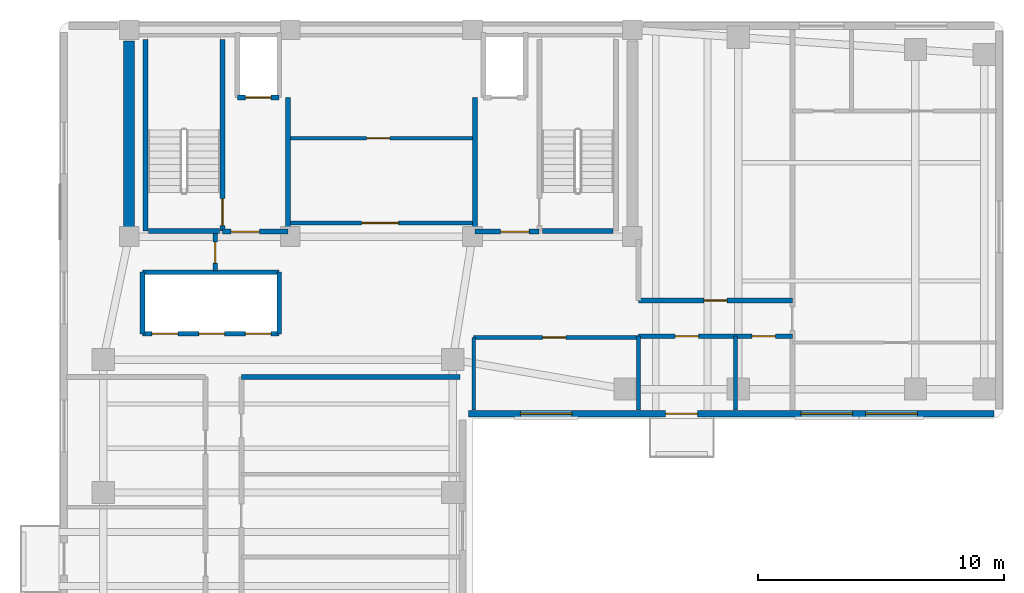
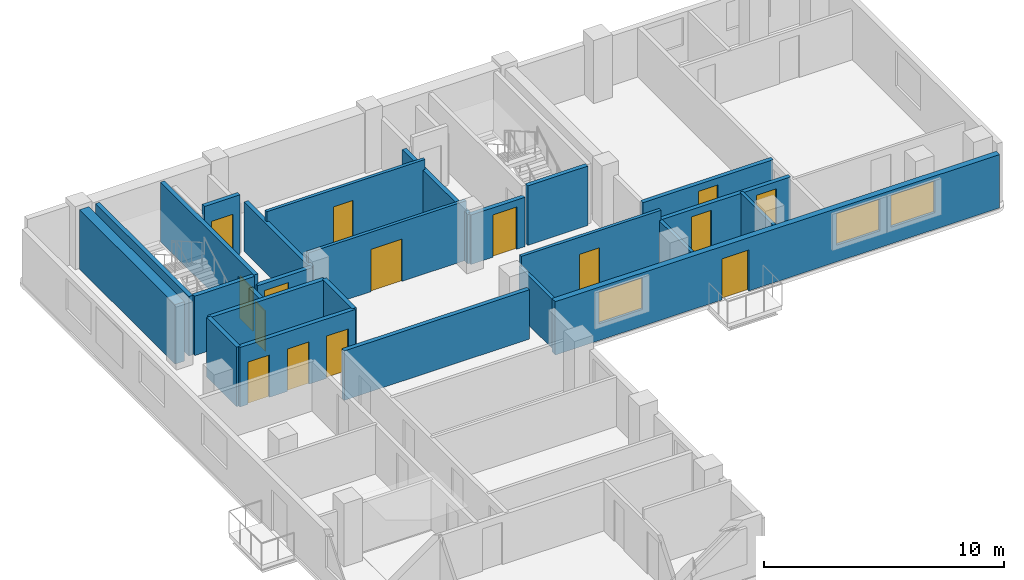
# One storey, part 3 of 6: 25 walls, 15 doors, 3 windows, 18 openings.
"""IFC4 building model written with IfcOpenShell, lengths in metres."""

from ifc_helpers import new_model, si_unit, direction, frame, frame_2d, origin, place, context, subcontext, project, spatial, rectangle, extrude, material, layer, layer_set, type_object, element, fill, save


model = new_model("IFC4")

# Units and contexts
model_context = context("Model", 3, precision=1e-05, world=origin(), true_north=direction((0.0, 1.0)))
body_context = subcontext(model_context, "Body", "Model", "MODEL_VIEW")
ifc_project = project(units=[si_unit("LENGTHUNIT", "METRE"), si_unit("AREAUNIT", "SQUARE_METRE"), si_unit("VOLUMEUNIT", "CUBIC_METRE"), si_unit("PLANEANGLEUNIT", "RADIAN"), si_unit("MASSUNIT", "GRAM", prefix="KILO")], contexts=[model_context])

# Site, building, storey
site_placement = place(None, origin())
site = spatial("IfcSite", under=ifc_project, at=site_placement, CompositionType="ELEMENT")
building_placement = place(site_placement, origin())
building = spatial("IfcBuilding", under=site, at=building_placement, Name="Kuzgunbayir Cultural Tower", CompositionType="ELEMENT")
storey_placement = place(building_placement, frame((0.0, 0.0, 195.199951171875)))
storey = spatial("IfcBuildingStorey", under=building, at=storey_placement, Name="L57", CompositionType="ELEMENT", Elevation=195.199951171875)

# Wall
ifc_material_1 = material(Name="Concrete C50/60", Category="concrete")
ifc_layer_1 = layer(ifc_material_1, 0.449951171875)
ifc_layer_set_1 = layer_set([ifc_layer_1], Name="Concrete C50/60")
wall_type_1 = type_object("IfcWallType", Name="WAL-CORE-450", PredefinedType="SHEAR", material=ifc_layer_set_1)
wall_1_placement = place(storey_placement, frame((6.449951171875, 33.800048828125, 0.0), z_axis=(0.0, 0.0, 1.0), x_axis=(0.0, 1.0, 0.0)))
element("IfcWall", 1, at=wall_1_placement, inside=storey, type_object=wall_type_1, Name="L57 T1 Core West Shear Wall", PredefinedType="SHEAR", context=body_context, shape_type="SweptSolid", body=[
    extrude(rectangle(XDim=7.949951171875, YDim=0.449951171875, at=frame_2d((3.97509765625, 0.0))), origin(), (0.0, 0.0, 1.0), 3.02001953125),
])

# Wall, openings, door, windows
ifc_material_2 = material(Name="Anatolian Cream Limestone", Category="masonry")
ifc_layer_2 = layer(ifc_material_2, 0.280029296875)
ifc_layer_set_2 = layer_set([ifc_layer_2], Name="Anatolian Cream Limestone")
wall_type_2 = type_object("IfcWallType", Name="WAL-EXT-STONE-280", PredefinedType="STANDARD", material=ifc_layer_set_2)
wall_2_placement = place(storey_placement, frame((20.25, 26.60009765625, 0.0), z_axis=(0.0, 0.0, 1.0), x_axis=(1.0, 0.0, 0.0)))
wall_2 = element("IfcWall", 2, at=wall_2_placement, inside=storey, type_object=wall_type_2, Name="L57 Wing B South Limestone Wall", PredefinedType="STANDARD", context=body_context, shape_type="SweptSolid", body=[
    extrude(rectangle(XDim=21.35009765625, YDim=0.280029296875, at=frame_2d((10.675048828125, 0.0))), origin(), (0.0, 0.0, 1.0), 2.7099609375),
])
opening_1_placement = place(wall_2_placement, frame((8.0, 0.0, 0.0)))
opening_1 = element("IfcOpeningElement", 3, at=opening_1_placement, cuts=wall_2, Name="Opening BD-13", PredefinedType="OPENING", context=body_context, shape_type="SweptSolid", body=[
    extrude(rectangle(XDim=1.300048828125, YDim=2.080078125, at=frame_2d((0.64990234375, 1.0400390625))), frame((0.0, 0.14990234375, 0.0), z_axis=(0.0, -1.0, 0.0), x_axis=(1.0, 0.0, 0.0)), (0.0, 0.0, 1.0), 0.300048828125),
])
opening_2_placement = place(wall_2_placement, frame((16.1298828125, 0.0, 0.85009765625)))
opening_2 = element("IfcOpeningElement", 4, at=opening_2_placement, cuts=wall_2, Name="Opening WR-21", PredefinedType="OPENING", context=body_context, shape_type="SweptSolid", body=[
    extrude(rectangle(XDim=2.10009765625, YDim=1.610107421875, at=frame_2d((1.050048828125, 0.80517578125))), frame((0.0, 0.14990234375, 0.0), z_axis=(0.0, -1.0, 0.0), x_axis=(1.0, 0.0, 0.0)), (0.0, 0.0, 1.0), 0.300048828125),
])
opening_3_placement = place(wall_2_placement, frame((2.10009765625, 0.0, 0.85009765625)))
opening_3 = element("IfcOpeningElement", 5, at=opening_3_placement, cuts=wall_2, Name="Opening WR-21", PredefinedType="OPENING", context=body_context, shape_type="SweptSolid", body=[
    extrude(rectangle(XDim=2.10009765625, YDim=1.610107421875, at=frame_2d((1.050048828125, 0.80517578125))), frame((0.0, 0.14990234375, 0.0), z_axis=(0.0, -1.0, 0.0), x_axis=(1.0, 0.0, 0.0)), (0.0, 0.0, 1.0), 0.300048828125),
])
opening_4_placement = place(wall_2_placement, frame((13.5, 0.0, 0.85009765625)))
opening_4 = element("IfcOpeningElement", 6, at=opening_4_placement, cuts=wall_2, Name="Opening WR-21", PredefinedType="OPENING", context=body_context, shape_type="SweptSolid", body=[
    extrude(rectangle(XDim=2.10009765625, YDim=1.610107421875, at=frame_2d((1.050048828125, 0.80517578125))), frame((0.0, 0.14990234375, 0.0), z_axis=(0.0, -1.0, 0.0), x_axis=(1.0, 0.0, 0.0)), (0.0, 0.0, 1.0), 0.300048828125),
])
ifc_material_3 = material(Name="Thermally Broken Glazed Aluminium", Category="aluminium")
door_type_1 = type_object("IfcDoorType", Name="DR-BALCONY-135", OperationType="SLIDING_TO_LEFT", PredefinedType="DOOR", material=ifc_material_3)
door_1_placement = place(opening_1_placement, origin())
door_1 = element("IfcDoor", 7, at=door_1_placement, inside=storey, type_object=door_type_1, Name="L57 South Balcony Sliding Door BAL-L57-WB1", OperationType="SLIDING_TO_LEFT", OverallHeight=2.080078125, OverallWidth=1.300048828125, PredefinedType="DOOR", context=body_context, shape_type="SweptSolid", body=[
    extrude(rectangle(XDim=1.300048828125, YDim=2.080078125, at=frame_2d((0.64990234375, 1.0400390625))), frame((0.0, 0.02490234375, 0.0), z_axis=(0.0, -1.0, 0.0), x_axis=(1.0, 0.0, 0.0)), (0.0, 0.0, 1.0), 0.050048828125),
])
fill(opening_1, door_1)
ifc_material_4 = material(Name="Solar-Control Triple Glazing", Category="glass")
window_type = type_object("IfcWindowType", Name="WIN-RESID-21", PartitioningType="SINGLE_PANEL", PredefinedType="WINDOW", material=ifc_material_4)
window_1_placement = place(opening_2_placement, origin())
window_1 = element("IfcWindow", 8, at=window_1_placement, inside=storey, type_object=window_type, Name="L57 WBS Facade Window 7", OverallHeight=1.610107421875, OverallWidth=2.10009765625, PartitioningType="SINGLE_PANEL", PredefinedType="WINDOW", context=body_context, shape_type="SweptSolid", body=[
    extrude(rectangle(XDim=2.10009765625, YDim=1.610107421875, at=frame_2d((1.050048828125, 0.80517578125))), frame((0.0, 0.030029296875, 0.0), z_axis=(0.0, -1.0, 0.0), x_axis=(1.0, 0.0, 0.0)), (0.0, 0.0, 1.0), 0.06005859375),
])
fill(opening_2, window_1)
window_2_placement = place(opening_3_placement, origin())
window_2 = element("IfcWindow", 9, at=window_2_placement, inside=storey, type_object=window_type, Name="L57 WBS Facade Window 15", OverallHeight=1.610107421875, OverallWidth=2.10009765625, PartitioningType="SINGLE_PANEL", PredefinedType="WINDOW", context=body_context, shape_type="SweptSolid", body=[
    extrude(rectangle(XDim=2.10009765625, YDim=1.610107421875, at=frame_2d((1.050048828125, 0.80517578125))), frame((0.0, 0.030029296875, 0.0), z_axis=(0.0, -1.0, 0.0), x_axis=(1.0, 0.0, 0.0)), (0.0, 0.0, 1.0), 0.06005859375),
])
fill(opening_3, window_2)
window_3_placement = place(opening_4_placement, origin())
window_3 = element("IfcWindow", 10, at=window_3_placement, inside=storey, type_object=window_type, Name="L57 WBS Facade Window 16", OverallHeight=1.610107421875, OverallWidth=2.10009765625, PartitioningType="SINGLE_PANEL", PredefinedType="WINDOW", context=body_context, shape_type="SweptSolid", body=[
    extrude(rectangle(XDim=2.10009765625, YDim=1.610107421875, at=frame_2d((1.050048828125, 0.80517578125))), frame((0.0, 0.030029296875, 0.0), z_axis=(0.0, -1.0, 0.0), x_axis=(1.0, 0.0, 0.0)), (0.0, 0.0, 1.0), 0.06005859375),
])
fill(opening_4, window_3)

# Wall, opening, door
ifc_material_5 = material(Name="Acoustic Double-Stud Drywall", Category="gypsum")
ifc_layer_3 = layer(ifc_material_5, 0.14990234375)
ifc_layer_set_3 = layer_set([ifc_layer_3], Name="Acoustic Double-Stud Drywall")
wall_type_3 = type_object("IfcWallType", Name="WAL-PART-ACOUSTIC-150", PredefinedType="PARTITIONING", material=ifc_layer_set_3)
wall_3_placement = place(storey_placement, frame((12.89990234375, 34.35009765625, 0.0), z_axis=(0.0, 0.0, 1.0), x_axis=(1.0, 0.0, 0.0)))
wall_3 = element("IfcWall", 11, at=wall_3_placement, inside=storey, type_object=wall_type_3, Name="L57 Sky Core South Wall", PredefinedType="PARTITIONING", context=body_context, shape_type="SweptSolid", body=[
    extrude(rectangle(XDim=7.60009765625, YDim=0.14990234375, at=frame_2d((3.800048828125, 0.0))), origin(), (0.0, 0.0, 1.0), 3.02001953125),
])
opening_5_placement = place(wall_3_placement, frame((3.0, 0.0, 0.0)))
opening_5 = element("IfcOpeningElement", 12, at=opening_5_placement, cuts=wall_3, Name="Opening DC-150", PredefinedType="OPENING", context=body_context, shape_type="SweptSolid", body=[
    extrude(rectangle(XDim=1.5, YDim=2.14990234375, at=frame_2d((0.75, 1.074951171875))), frame((0.0, 0.0849609375, 0.0), z_axis=(0.0, -1.0, 0.0), x_axis=(1.0, 0.0, 0.0)), (0.0, 0.0, 1.0), 0.169921875),
])
ifc_material_6 = material(Name="Fire-Rated Veneered Oak Double Leaf", Category="wood")
door_type_2 = type_object("IfcDoorType", Name="DR-CORE-150", OperationType="DOUBLE_DOOR_SINGLE_SWING", PredefinedType="DOOR", material=ifc_material_6)
door_2_placement = place(opening_5_placement, origin())
door_2 = element("IfcDoor", 13, at=door_2_placement, inside=storey, type_object=door_type_2, Name="L57 Sky Conservatory Double Door", OperationType="DOUBLE_DOOR_SINGLE_SWING", OverallHeight=2.14990234375, OverallWidth=1.5, PredefinedType="DOOR", context=body_context, shape_type="SweptSolid", body=[
    extrude(rectangle(XDim=1.5, YDim=2.14990234375, at=frame_2d((0.75, 1.074951171875))), frame((0.0, 0.02490234375, 0.0), z_axis=(0.0, -1.0, 0.0), x_axis=(1.0, 0.0, 0.0)), (0.0, 0.0, 1.0), 0.050048828125),
])
fill(opening_5, door_2)

wall_4_placement = place(storey_placement, frame((12.89990234375, 37.800048828125, 0.0), z_axis=(0.0, 0.0, 1.0), x_axis=(1.0, 0.0, 0.0)))
wall_4 = element("IfcWall", 14, at=wall_4_placement, inside=storey, type_object=wall_type_3, Name="L57 Sky Core Mid Wall", PredefinedType="PARTITIONING", context=body_context, shape_type="SweptSolid", body=[
    extrude(rectangle(XDim=7.60009765625, YDim=0.14990234375, at=frame_2d((3.800048828125, 0.0))), origin(), (0.0, 0.0, 1.0), 3.02001953125),
])
opening_6_placement = place(wall_4_placement, frame((3.199951171875, 0.0, 0.0)))
opening_6 = element("IfcOpeningElement", 15, at=opening_6_placement, cuts=wall_4, Name="Opening DC-95", PredefinedType="OPENING", context=body_context, shape_type="SweptSolid", body=[
    extrude(rectangle(XDim=0.949951171875, YDim=2.14990234375, at=frame_2d((0.47509765625, 1.074951171875))), frame((0.0, 0.0849609375, 0.0), z_axis=(0.0, -1.0, 0.0), x_axis=(1.0, 0.0, 0.0)), (0.0, 0.0, 1.0), 0.169921875),
])
ifc_material_7 = material(Name="Fire-Rated Veneered Oak Leaf", Category="wood")
door_type_3 = type_object("IfcDoorType", Name="DR-CORE-95", OperationType="NOTDEFINED", PredefinedType="DOOR", material=ifc_material_7)
door_3_placement = place(opening_6_placement, origin())
door_3 = element("IfcDoor", 16, at=door_3_placement, inside=storey, type_object=door_type_3, Name="L57 Core Archive Door", OperationType="SINGLE_SWING_LEFT", OverallHeight=2.14990234375, OverallWidth=0.949951171875, PredefinedType="DOOR", context=body_context, shape_type="SweptSolid", body=[
    extrude(rectangle(XDim=0.949951171875, YDim=2.14990234375, at=frame_2d((0.47509765625, 1.074951171875))), frame((0.0, 0.02490234375, 0.0), z_axis=(0.0, -1.0, 0.0), x_axis=(1.0, 0.0, 0.0)), (0.0, 0.0, 1.0), 0.050048828125),
])
fill(opening_6, door_3)

wall_5_placement = place(storey_placement, frame((20.449951171875, 29.699951171875, 0.0), z_axis=(0.0, 0.0, 1.0), x_axis=(1.0, 0.0, 0.0)))
wall_5 = element("IfcWall", 17, at=wall_5_placement, inside=storey, type_object=wall_type_3, Name="L57 Waist Alcove North Wall", PredefinedType="PARTITIONING", context=body_context, shape_type="SweptSolid", body=[
    extrude(rectangle(XDim=6.699951171875, YDim=0.14990234375, at=frame_2d((3.35009765625, 0.0))), origin(), (0.0, 0.0, 1.0), 3.02001953125),
])
opening_7_placement = place(wall_5_placement, frame((2.800048828125, 0.0, 0.0)))
opening_7 = element("IfcOpeningElement", 18, at=opening_7_placement, cuts=wall_5, Name="Opening DI-90", PredefinedType="OPENING", context=body_context, shape_type="SweptSolid", body=[
    extrude(rectangle(XDim=0.949951171875, YDim=2.14990234375, at=frame_2d((0.47509765625, 1.074951171875))), frame((0.0, 0.0849609375, 0.0), z_axis=(0.0, -1.0, 0.0), x_axis=(1.0, 0.0, 0.0)), (0.0, 0.0, 1.0), 0.169921875),
])
ifc_material_8 = material(Name="Veneered Oak Single Leaf", Category="wood")
door_type_4 = type_object("IfcDoorType", Name="DR-INT-90", OperationType="NOTDEFINED", PredefinedType="DOOR", material=ifc_material_8)
door_4_placement = place(opening_7_placement, origin())
door_4 = element("IfcDoor", 19, at=door_4_placement, inside=storey, type_object=door_type_4, Name="L57 Waist Alcove Door", OperationType="SINGLE_SWING_LEFT", OverallHeight=2.14990234375, OverallWidth=0.949951171875, PredefinedType="DOOR", context=body_context, shape_type="SweptSolid", body=[
    extrude(rectangle(XDim=0.949951171875, YDim=2.14990234375, at=frame_2d((0.47509765625, 1.074951171875))), frame((0.0, 0.02490234375, 0.0), z_axis=(0.0, -1.0, 0.0), x_axis=(1.0, 0.0, 0.0)), (0.0, 0.0, 1.0), 0.050048828125),
])
fill(opening_7, door_4)

# Walls
wall_6_placement = place(storey_placement, frame((20.449951171875, 26.75, 0.0), z_axis=(0.0, 0.0, 1.0), x_axis=(0.0, 1.0, 0.0)))
element("IfcWall", 20, at=wall_6_placement, inside=storey, type_object=wall_type_3, Name="L57 Waist Alcove West Wall", PredefinedType="PARTITIONING", context=body_context, shape_type="SweptSolid", body=[
    extrude(rectangle(XDim=2.949951171875, YDim=0.14990234375, at=frame_2d((1.47509765625, 0.0))), origin(), (0.0, 0.0, 1.0), 2.510009765625),
])
for number, where, z_axis, x_axis, name in (
    (21, (27.14990234375, 26.75, 0.0), (0.0, 0.0, 1.0), (0.0, 1.0, 0.0), "L57 Waist Alcove East Wall"),
    (22, (31.090087890625, 26.75, 0.0), (0.0, 0.0, 1.0), (0.0, 1.0, 0.0), "L57 Wing B South Divider 1"),
):
    element("IfcWall", number, at=place(storey_placement, frame(where, z_axis=z_axis, x_axis=x_axis)), inside=storey, type_object=wall_type_3, Name=name, PredefinedType="PARTITIONING", context=body_context, shape_type="SweptSolid", body=[
        extrude(rectangle(XDim=3.0, YDim=0.14990234375, at=frame_2d((1.5, 0.0))), origin(), (0.0, 0.0, 1.0), 2.510009765625),
    ])
ifc_material_9 = material(Name="Aerated Concrete Blockwork", Category="masonry")
ifc_layer_4 = layer(ifc_material_9, 0.199951171875)
ifc_layer_set_4 = layer_set([ifc_layer_4], Name="Aerated Concrete Blockwork")
wall_type_4 = type_object("IfcWallType", Name="WAL-PART-FIRE-200", PredefinedType="PARTITIONING", material=ifc_layer_set_4)
wall_7_placement = place(storey_placement, frame((12.89990234375, 34.0, 0.0), z_axis=(0.0, 0.0, 1.0), x_axis=(0.0, 1.0, 0.0)))
element("IfcWall", 23, at=wall_7_placement, inside=storey, type_object=wall_type_4, Name="L57 FFL-1 Lobby East Fire Wall", PredefinedType="PARTITIONING", context=body_context, shape_type="SweptSolid", body=[
    extrude(rectangle(XDim=5.449951171875, YDim=0.199951171875, at=frame_2d((2.72509765625, 0.0))), origin(), (0.0, 0.0, 1.0), 2.510009765625),
])

# Wall, opening, door
wall_8_placement = place(storey_placement, frame((10.239990234375, 34.0, 0.0), z_axis=(0.0, 0.0, 1.0), x_axis=(1.0, 0.0, 0.0)))
wall_8 = element("IfcWall", 24, at=wall_8_placement, inside=storey, type_object=wall_type_4, Name="L57 FFL-1 Lobby South Fire Wall", PredefinedType="PARTITIONING", context=body_context, shape_type="SweptSolid", body=[
    extrude(rectangle(XDim=2.659912109375, YDim=0.199951171875, at=frame_2d((1.330078125, 0.0))), origin(), (0.0, 0.0, 1.0), 2.510009765625),
])
opening_8_placement = place(wall_8_placement, frame((0.35009765625, 0.0, 0.0)))
opening_8 = element("IfcOpeningElement", 25, at=opening_8_placement, cuts=wall_8, Name="Opening DR-FFL-90", PredefinedType="OPENING", context=body_context, shape_type="SweptSolid", body=[
    extrude(rectangle(XDim=1.14990234375, YDim=2.14990234375, at=frame_2d((0.574951171875, 1.074951171875))), frame((0.0, 0.10986328125, 0.0), z_axis=(0.0, -1.0, 0.0), x_axis=(1.0, 0.0, 0.0)), (0.0, 0.0, 1.0), 0.219970703125),
])
ifc_material_10 = material(Name="Steel S355J2", Category="steel")
door_type_5 = type_object("IfcDoorType", Name="DR-FFL-90", OperationType="NOTDEFINED", PredefinedType="DOOR", material=ifc_material_10)
door_5_placement = place(opening_8_placement, origin())
door_5 = element("IfcDoor", 26, at=door_5_placement, inside=storey, type_object=door_type_5, Name="L57 Firefighting Lobby 1 Door", OperationType="SINGLE_SWING_RIGHT", OverallHeight=2.14990234375, OverallWidth=1.14990234375, PredefinedType="DOOR", context=body_context, shape_type="SweptSolid", body=[
    extrude(rectangle(XDim=1.14990234375, YDim=2.14990234375, at=frame_2d((0.574951171875, 1.074951171875))), frame((0.0, 0.02490234375, 0.0), z_axis=(0.0, -1.0, 0.0), x_axis=(1.0, 0.0, 0.0)), (0.0, 0.0, 1.0), 0.050048828125),
])
fill(opening_8, door_5)

# Wall
wall_9_placement = place(storey_placement, frame((20.5, 34.0, 0.0), z_axis=(0.0, 0.0, 1.0), x_axis=(0.0, 1.0, 0.0)))
element("IfcWall", 27, at=wall_9_placement, inside=storey, type_object=wall_type_4, Name="L57 FFL-2 Lobby West Fire Wall", PredefinedType="PARTITIONING", context=body_context, shape_type="SweptSolid", body=[
    extrude(rectangle(XDim=5.449951171875, YDim=0.199951171875, at=frame_2d((2.72509765625, 0.0))), origin(), (0.0, 0.0, 1.0), 2.510009765625),
])

# Wall, opening, door
wall_10_placement = place(storey_placement, frame((20.5, 34.0, 0.0), z_axis=(0.0, 0.0, 1.0), x_axis=(1.0, 0.0, 0.0)))
wall_10 = element("IfcWall", 28, at=wall_10_placement, inside=storey, type_object=wall_type_4, Name="L57 FFL-2 Lobby South Fire Wall", PredefinedType="PARTITIONING", context=body_context, shape_type="SweptSolid", body=[
    extrude(rectangle(XDim=2.60009765625, YDim=0.199951171875, at=frame_2d((1.300048828125, 0.0))), origin(), (0.0, 0.0, 1.0), 2.510009765625),
])
opening_9_placement = place(wall_10_placement, frame((1.050048828125, 0.0, 0.0)))
opening_9 = element("IfcOpeningElement", 29, at=opening_9_placement, cuts=wall_10, Name="Opening DR-FFL-90", PredefinedType="OPENING", context=body_context, shape_type="SweptSolid", body=[
    extrude(rectangle(XDim=1.14990234375, YDim=2.14990234375, at=frame_2d((0.574951171875, 1.074951171875))), frame((0.0, 0.10986328125, 0.0), z_axis=(0.0, -1.0, 0.0), x_axis=(1.0, 0.0, 0.0)), (0.0, 0.0, 1.0), 0.219970703125),
])
door_6_placement = place(opening_9_placement, origin())
door_6 = element("IfcDoor", 30, at=door_6_placement, inside=storey, type_object=door_type_5, Name="L57 Firefighting Lobby 2 Door", OperationType="SINGLE_SWING_LEFT", OverallHeight=2.14990234375, OverallWidth=1.14990234375, PredefinedType="DOOR", context=body_context, shape_type="SweptSolid", body=[
    extrude(rectangle(XDim=1.14990234375, YDim=2.14990234375, at=frame_2d((0.574951171875, 1.074951171875))), frame((0.0, 0.02490234375, 0.0), z_axis=(0.0, -1.0, 0.0), x_axis=(1.0, 0.0, 0.0)), (0.0, 0.0, 1.0), 0.050048828125),
])
fill(opening_9, door_6)

wall_11_placement = place(storey_placement, frame((9.949951171875, 32.39990234375, 0.0), z_axis=(0.0, 0.0, 1.0), x_axis=(0.0, 1.0, 0.0)))
wall_11 = element("IfcWall", 31, at=wall_11_placement, inside=storey, type_object=wall_type_4, Name="L57 West Core Service Closet Wall", PredefinedType="PARTITIONING", context=body_context, shape_type="SweptSolid", body=[
    extrude(rectangle(XDim=1.52001953125, YDim=0.199951171875, at=frame_2d((0.760009765625, 0.0))), origin(), (0.0, 0.0, 1.0), 2.510009765625),
])
opening_10_placement = place(wall_11_placement, frame((0.320068359375, 0.0, 0.0)))
opening_10 = element("IfcOpeningElement", 32, at=opening_10_placement, cuts=wall_11, Name="Opening DR-RSR-60", PredefinedType="OPENING", context=body_context, shape_type="SweptSolid", body=[
    extrude(rectangle(XDim=0.85009765625, YDim=2.050048828125, at=frame_2d((0.425048828125, 1.02490234375))), frame((0.0, 0.10986328125, 0.0), z_axis=(0.0, -1.0, 0.0), x_axis=(1.0, 0.0, 0.0)), (0.0, 0.0, 1.0), 0.219970703125),
])
ifc_material_11 = material(Name="Steel Access Leaf", Category="steel")
door_type_6 = type_object("IfcDoorType", Name="DR-RISER-60", OperationType="NOTDEFINED", PredefinedType="DOOR", material=ifc_material_11)
door_7_placement = place(opening_10_placement, origin())
door_7 = element("IfcDoor", 33, at=door_7_placement, inside=storey, type_object=door_type_6, Name="L57 Cleaner Utility Store Door", OperationType="SINGLE_SWING_RIGHT", OverallHeight=2.050048828125, OverallWidth=0.85009765625, PredefinedType="DOOR", context=body_context, shape_type="SweptSolid", body=[
    extrude(rectangle(XDim=0.85009765625, YDim=2.050048828125, at=frame_2d((0.425048828125, 1.02490234375))), frame((0.0, 0.02490234375, 0.0), z_axis=(0.0, -1.0, 0.0), x_axis=(1.0, 0.0, 0.0)), (0.0, 0.0, 1.0), 0.050048828125),
])
fill(opening_10, door_7)

# Wall
wall_12_placement = place(storey_placement, frame((11.010009765625, 28.10009765625, 0.0), z_axis=(0.0, 0.0, 1.0), x_axis=(1.0, 0.0, 0.0)))
element("IfcWall", 34, at=wall_12_placement, inside=storey, type_object=wall_type_4, Name="L57 North East Partition", PredefinedType="PARTITIONING", context=body_context, shape_type="SweptSolid", body=[
    extrude(rectangle(XDim=8.889892578125, YDim=0.199951171875, at=frame_2d((4.44482421875, 0.0))), origin(), (0.0, 0.0, 1.0), 2.510009765625),
])

# Wall, openings, doors
wall_13_placement = place(storey_placement, frame((27.14990234375, 29.75, 0.0), z_axis=(0.0, 0.0, 1.0), x_axis=(1.0, 0.0, 0.0)))
wall_13 = element("IfcWall", 35, at=wall_13_placement, inside=storey, type_object=wall_type_4, Name="L57 Wing B Residence Corridor South Wall", PredefinedType="PARTITIONING", context=body_context, shape_type="SweptSolid", body=[
    extrude(rectangle(XDim=6.25, YDim=0.199951171875, at=frame_2d((3.125, 0.0))), origin(), (0.0, 0.0, 1.0), 2.510009765625),
])
opening_11_placement = place(wall_13_placement, frame((1.489990234375, 0.0, 0.0)))
opening_11 = element("IfcOpeningElement", 36, at=opening_11_placement, cuts=wall_13, Name="Opening DI-90", PredefinedType="OPENING", context=body_context, shape_type="SweptSolid", body=[
    extrude(rectangle(XDim=0.949951171875, YDim=2.14990234375, at=frame_2d((0.47509765625, 1.074951171875))), frame((0.0, 0.10986328125, 0.0), z_axis=(0.0, -1.0, 0.0), x_axis=(1.0, 0.0, 0.0)), (0.0, 0.0, 1.0), 0.219970703125),
])
opening_12_placement = place(wall_13_placement, frame((4.610107421875, 0.0, 0.0)))
opening_12 = element("IfcOpeningElement", 37, at=opening_12_placement, cuts=wall_13, Name="Opening DI-90", PredefinedType="OPENING", context=body_context, shape_type="SweptSolid", body=[
    extrude(rectangle(XDim=0.949951171875, YDim=2.14990234375, at=frame_2d((0.47509765625, 1.074951171875))), frame((0.0, 0.10986328125, 0.0), z_axis=(0.0, -1.0, 0.0), x_axis=(1.0, 0.0, 0.0)), (0.0, 0.0, 1.0), 0.219970703125),
])
door_8_placement = place(opening_11_placement, origin())
door_8 = element("IfcDoor", 38, at=door_8_placement, inside=storey, type_object=door_type_4, Name="L57 Wing B Art Publication Salon 1 Door", OperationType="SINGLE_SWING_LEFT", OverallHeight=2.14990234375, OverallWidth=0.949951171875, PredefinedType="DOOR", context=body_context, shape_type="SweptSolid", body=[
    extrude(rectangle(XDim=0.949951171875, YDim=2.14990234375, at=frame_2d((0.47509765625, 1.074951171875))), frame((0.0, 0.02490234375, 0.0), z_axis=(0.0, -1.0, 0.0), x_axis=(1.0, 0.0, 0.0)), (0.0, 0.0, 1.0), 0.050048828125),
])
fill(opening_11, door_8)
door_9_placement = place(opening_12_placement, origin())
door_9 = element("IfcDoor", 39, at=door_9_placement, inside=storey, type_object=door_type_4, Name="L57 Wing B Art Publication Salon 2 Door", OperationType="SINGLE_SWING_RIGHT", OverallHeight=2.14990234375, OverallWidth=0.949951171875, PredefinedType="DOOR", context=body_context, shape_type="SweptSolid", body=[
    extrude(rectangle(XDim=0.949951171875, YDim=2.14990234375, at=frame_2d((0.47509765625, 1.074951171875))), frame((0.0, 0.02490234375, 0.0), z_axis=(0.0, -1.0, 0.0), x_axis=(1.0, 0.0, 0.0)), (0.0, 0.0, 1.0), 0.050048828125),
])
fill(opening_12, door_9)

# Wall, opening, door
wall_14_placement = place(storey_placement, frame((27.14990234375, 31.199951171875, 0.0), z_axis=(0.0, 0.0, 1.0), x_axis=(1.0, 0.0, 0.0)))
wall_14 = element("IfcWall", 40, at=wall_14_placement, inside=storey, type_object=wall_type_4, Name="L57 Wing B Residence Corridor North Wall", PredefinedType="PARTITIONING", context=body_context, shape_type="SweptSolid", body=[
    extrude(rectangle(XDim=6.25, YDim=0.199951171875, at=frame_2d((3.125, 0.0))), origin(), (0.0, 0.0, 1.0), 2.510009765625),
])
opening_13_placement = place(wall_14_placement, frame((2.64990234375, 0.0, 0.0)))
opening_13 = element("IfcOpeningElement", 41, at=opening_13_placement, cuts=wall_14, Name="Opening DI-90", PredefinedType="OPENING", context=body_context, shape_type="SweptSolid", body=[
    extrude(rectangle(XDim=0.949951171875, YDim=2.14990234375, at=frame_2d((0.47509765625, 1.074951171875))), frame((0.0, 0.10986328125, 0.0), z_axis=(0.0, -1.0, 0.0), x_axis=(1.0, 0.0, 0.0)), (0.0, 0.0, 1.0), 0.219970703125),
])
door_10_placement = place(opening_13_placement, origin())
door_10 = element("IfcDoor", 42, at=door_10_placement, inside=storey, type_object=door_type_4, Name="L57 Residents Culinary Tasting Pantry 1 Door", OperationType="SINGLE_SWING_LEFT", OverallHeight=2.14990234375, OverallWidth=0.949951171875, PredefinedType="DOOR", context=body_context, shape_type="SweptSolid", body=[
    extrude(rectangle(XDim=0.949951171875, YDim=2.14990234375, at=frame_2d((0.47509765625, 1.074951171875))), frame((0.0, 0.02490234375, 0.0), z_axis=(0.0, -1.0, 0.0), x_axis=(1.0, 0.0, 0.0)), (0.0, 0.0, 1.0), 0.050048828125),
])
fill(opening_13, door_10)

# Wall, openings, doors
ifc_material_12 = material(Name="Concrete C40/50", Category="concrete")
ifc_layer_5 = layer(ifc_material_12, 0.199951171875)
ifc_layer_set_5 = layer_set([ifc_layer_5], Name="Concrete C40/50")
wall_type_5 = type_object("IfcWallType", Name="WAL-SHAFT-200", PredefinedType="MOVABLE", material=ifc_layer_set_5)
wall_15_placement = place(storey_placement, frame((7.0, 29.85009765625, 0.0), z_axis=(0.0, 0.0, 1.0), x_axis=(1.0, 0.0, 0.0)))
wall_15 = element("IfcWall", 43, at=wall_15_placement, inside=storey, type_object=wall_type_5, Name="L57 High-Rise Lift Shaft South Wall", PredefinedType="MOVABLE", context=body_context, shape_type="SweptSolid", body=[
    extrude(rectangle(XDim=5.550048828125, YDim=0.199951171875, at=frame_2d((2.77490234375, 0.0))), origin(), (0.0, 0.0, 1.0), 3.02001953125),
])
opening_14_placement = place(wall_15_placement, frame((0.3798828125, 0.0, 0.0)))
opening_14 = element("IfcOpeningElement", 44, at=opening_14_placement, cuts=wall_15, Name="Opening LD", PredefinedType="OPENING", context=body_context, shape_type="SweptSolid", body=[
    extrude(rectangle(XDim=1.050048828125, YDim=2.14990234375, at=frame_2d((0.52490234375, 1.074951171875))), frame((0.0, 0.10986328125, 0.0), z_axis=(0.0, -1.0, 0.0), x_axis=(1.0, 0.0, 0.0)), (0.0, 0.0, 1.0), 0.219970703125),
])
opening_15_placement = place(wall_15_placement, frame((2.280029296875, 0.0, 0.0)))
opening_15 = element("IfcOpeningElement", 45, at=opening_15_placement, cuts=wall_15, Name="Opening LD", PredefinedType="OPENING", context=body_context, shape_type="SweptSolid", body=[
    extrude(rectangle(XDim=1.050048828125, YDim=2.14990234375, at=frame_2d((0.52490234375, 1.074951171875))), frame((0.0, 0.10986328125, 0.0), z_axis=(0.0, -1.0, 0.0), x_axis=(1.0, 0.0, 0.0)), (0.0, 0.0, 1.0), 0.219970703125),
])
opening_16_placement = place(wall_15_placement, frame((4.169921875, 0.0, 0.0)))
opening_16 = element("IfcOpeningElement", 46, at=opening_16_placement, cuts=wall_15, Name="Opening LD", PredefinedType="OPENING", context=body_context, shape_type="SweptSolid", body=[
    extrude(rectangle(XDim=1.050048828125, YDim=2.14990234375, at=frame_2d((0.52490234375, 1.074951171875))), frame((0.0, 0.10986328125, 0.0), z_axis=(0.0, -1.0, 0.0), x_axis=(1.0, 0.0, 0.0)), (0.0, 0.0, 1.0), 0.219970703125),
])
ifc_material_13 = material(Name="Brushed Stainless Steel", Category="steel")
door_type_7 = type_object("IfcDoorType", Name="DR-LIFT-LANDING", OperationType="SLIDING_TO_LEFT", PredefinedType="DOOR", material=ifc_material_13)
door_11_placement = place(opening_14_placement, origin())
door_11 = element("IfcDoor", 47, at=door_11_placement, inside=storey, type_object=door_type_7, Name="L57 Lift PH-1 Landing Door", OperationType="SLIDING_TO_LEFT", OverallHeight=2.14990234375, OverallWidth=1.050048828125, PredefinedType="DOOR", context=body_context, shape_type="SweptSolid", body=[
    extrude(rectangle(XDim=1.050048828125, YDim=2.14990234375, at=frame_2d((0.52490234375, 1.074951171875))), frame((0.0, 0.02490234375, 0.0), z_axis=(0.0, -1.0, 0.0), x_axis=(1.0, 0.0, 0.0)), (0.0, 0.0, 1.0), 0.050048828125),
])
fill(opening_14, door_11)
door_12_placement = place(opening_15_placement, origin())
door_12 = element("IfcDoor", 48, at=door_12_placement, inside=storey, type_object=door_type_7, Name="L57 Lift PH-2 Landing Door", OperationType="SLIDING_TO_LEFT", OverallHeight=2.14990234375, OverallWidth=1.050048828125, PredefinedType="DOOR", context=body_context, shape_type="SweptSolid", body=[
    extrude(rectangle(XDim=1.050048828125, YDim=2.14990234375, at=frame_2d((0.52490234375, 1.074951171875))), frame((0.0, 0.02490234375, 0.0), z_axis=(0.0, -1.0, 0.0), x_axis=(1.0, 0.0, 0.0)), (0.0, 0.0, 1.0), 0.050048828125),
])
fill(opening_15, door_12)
door_13_placement = place(opening_16_placement, origin())
door_13 = element("IfcDoor", 49, at=door_13_placement, inside=storey, type_object=door_type_7, Name="L57 Lift PH-3 Landing Door", OperationType="SLIDING_TO_LEFT", OverallHeight=2.14990234375, OverallWidth=1.050048828125, PredefinedType="DOOR", context=body_context, shape_type="SweptSolid", body=[
    extrude(rectangle(XDim=1.050048828125, YDim=2.14990234375, at=frame_2d((0.52490234375, 1.074951171875))), frame((0.0, 0.02490234375, 0.0), z_axis=(0.0, -1.0, 0.0), x_axis=(1.0, 0.0, 0.0)), (0.0, 0.0, 1.0), 0.050048828125),
])
fill(opening_16, door_13)

# Walls
wall_16_placement = place(storey_placement, frame((7.0, 32.35009765625, 0.0), z_axis=(0.0, 0.0, 1.0), x_axis=(1.0, 0.0, 0.0)))
element("IfcWall", 50, at=wall_16_placement, inside=storey, type_object=wall_type_5, Name="L57 High-Rise Lift Shaft North Wall", PredefinedType="MOVABLE", context=body_context, shape_type="SweptSolid", body=[
    extrude(rectangle(XDim=5.550048828125, YDim=0.199951171875, at=frame_2d((2.77490234375, 0.0))), origin(), (0.0, 0.0, 1.0), 3.02001953125),
])
for number, where, z_axis, x_axis, name in (
    (51, (7.0, 29.85009765625, 0.0), (0.0, 0.0, 1.0), (0.0, 1.0, 0.0), "L57 High-Rise Lift Shaft West Wall"),
    (52, (12.550048828125, 29.85009765625, 0.0), (0.0, 0.0, 1.0), (0.0, 1.0, 0.0), "L57 High-Rise Lift Shaft East Wall"),
):
    element("IfcWall", number, at=place(storey_placement, frame(where, z_axis=z_axis, x_axis=x_axis)), inside=storey, type_object=wall_type_5, Name=name, PredefinedType="MOVABLE", context=body_context, shape_type="SweptSolid", body=[
        extrude(rectangle(XDim=2.5, YDim=0.199951171875, at=frame_2d((1.25, 0.0))), origin(), (0.0, 0.0, 1.0), 3.02001953125),
    ])

# Wall, opening, door
wall_17_placement = place(storey_placement, frame((10.85009765625, 39.449951171875, 0.0), z_axis=(0.0, 0.0, 1.0), x_axis=(1.0, 0.0, 0.0)))
wall_17 = element("IfcWall", 53, at=wall_17_placement, inside=storey, type_object=wall_type_5, Name="L57 FFL-1 Lift Front Wall", PredefinedType="MOVABLE", context=body_context, shape_type="SweptSolid", body=[
    extrude(rectangle(XDim=1.699951171875, YDim=0.199951171875, at=frame_2d((0.85009765625, 0.0))), origin(), (0.0, 0.0, 1.0), 3.02001953125),
])
opening_17_placement = place(wall_17_placement, frame((0.320068359375, 0.0, 0.0)))
opening_17 = element("IfcOpeningElement", 54, at=opening_17_placement, cuts=wall_17, Name="Opening LD", PredefinedType="OPENING", context=body_context, shape_type="SweptSolid", body=[
    extrude(rectangle(XDim=1.050048828125, YDim=2.14990234375, at=frame_2d((0.52490234375, 1.074951171875))), frame((0.0, 0.10986328125, 0.0), z_axis=(0.0, -1.0, 0.0), x_axis=(1.0, 0.0, 0.0)), (0.0, 0.0, 1.0), 0.219970703125),
])
door_14_placement = place(opening_17_placement, origin())
door_14 = element("IfcDoor", 55, at=door_14_placement, inside=storey, type_object=door_type_7, Name="L57 Lift FFL-1 Landing Door", OperationType="SLIDING_TO_LEFT", OverallHeight=2.14990234375, OverallWidth=1.050048828125, PredefinedType="DOOR", context=body_context, shape_type="SweptSolid", body=[
    extrude(rectangle(XDim=1.050048828125, YDim=2.14990234375, at=frame_2d((0.52490234375, 1.074951171875))), frame((0.0, 0.02490234375, 0.0), z_axis=(0.0, -1.0, 0.0), x_axis=(1.0, 0.0, 0.0)), (0.0, 0.0, 1.0), 0.050048828125),
])
fill(opening_17, door_14)

# Wall
ifc_layer_6 = layer(ifc_material_12, 0.199951171875)
ifc_layer_set_6 = layer_set([ifc_layer_6], Name="Concrete C40/50")
wall_type_6 = type_object("IfcWallType", Name="WAL-STAIR-RC-200", PredefinedType="SHEAR", material=ifc_layer_set_6)
wall_18_placement = place(storey_placement, frame((7.1201171875, 34.02001953125, 0.0), z_axis=(0.0, 0.0, 1.0), x_axis=(0.0, 1.0, 0.0)))
element("IfcWall", 56, at=wall_18_placement, inside=storey, type_object=wall_type_6, Name="L57 Stair ST-1 West Structural Wall", PredefinedType="SHEAR", context=body_context, shape_type="SweptSolid", body=[
    extrude(rectangle(XDim=7.780029296875, YDim=0.199951171875, at=frame_2d((3.89013671875, 0.0))), origin(), (0.0, 0.0, 1.0), 3.02001953125),
])

# Wall, opening, door
wall_19_placement = place(storey_placement, frame((10.239990234375, 34.02001953125, 0.0), z_axis=(0.0, 0.0, 1.0), x_axis=(0.0, 1.0, 0.0)))
wall_19 = element("IfcWall", 57, at=wall_19_placement, inside=storey, type_object=wall_type_6, Name="L57 Stair ST-1 East Structural Wall", PredefinedType="SHEAR", context=body_context, shape_type="SweptSolid", body=[
    extrude(rectangle(XDim=7.780029296875, YDim=0.199951171875, at=frame_2d((3.89013671875, 0.0))), origin(), (0.0, 0.0, 1.0), 3.02001953125),
])
opening_18_placement = place(wall_19_placement, frame((0.219970703125, 0.0, 0.0)))
opening_18 = element("IfcOpeningElement", 58, at=opening_18_placement, cuts=wall_19, Name="Opening DR-STAIR-90", PredefinedType="OPENING", context=body_context, shape_type="SweptSolid", body=[
    extrude(rectangle(XDim=1.10009765625, YDim=2.14990234375, at=frame_2d((0.550048828125, 1.074951171875))), frame((0.0, 0.10986328125, 0.0), z_axis=(0.0, -1.0, 0.0), x_axis=(1.0, 0.0, 0.0)), (0.0, 0.0, 1.0), 0.219970703125),
])
door_type_8 = type_object("IfcDoorType", Name="DR-STAIR-90", OperationType="NOTDEFINED", PredefinedType="DOOR", material=ifc_material_10)
door_15_placement = place(opening_18_placement, origin())
door_15 = element("IfcDoor", 59, at=door_15_placement, inside=storey, type_object=door_type_8, Name="L57 Stair ST-1 Fire Door", OperationType="SINGLE_SWING_LEFT", OverallHeight=2.14990234375, OverallWidth=1.10009765625, PredefinedType="DOOR", context=body_context, shape_type="SweptSolid", body=[
    extrude(rectangle(XDim=1.10009765625, YDim=2.14990234375, at=frame_2d((0.550048828125, 1.074951171875))), frame((0.0, 0.02490234375, 0.0), z_axis=(0.0, -1.0, 0.0), x_axis=(1.0, 0.0, 0.0)), (0.0, 0.0, 1.0), 0.050048828125),
])
fill(opening_18, door_15)

# Walls
for number, where, z_axis, x_axis, name in (
    (60, (7.239990234375, 34.02001953125, 0.0), (0.0, 0.0, 1.0), (1.0, 0.0, 0.0), "L57 Stair ST-1 South Structural Wall"),
    (61, (23.239990234375, 34.02001953125, 0.0), (0.0, 0.0, 1.0), (1.0, 0.0, 0.0), "L57 Stair ST-2 South Structural Wall"),
):
    element("IfcWall", number, at=place(storey_placement, frame(where, z_axis=z_axis, x_axis=x_axis)), inside=storey, type_object=wall_type_6, Name=name, PredefinedType="SHEAR", context=body_context, shape_type="SweptSolid", body=[
        extrude(rectangle(XDim=2.880126953125, YDim=0.199951171875, at=frame_2d((1.43994140625, 0.0))), origin(), (0.0, 0.0, 1.0), 3.02001953125),
    ])

save(model, "model.ifc")
